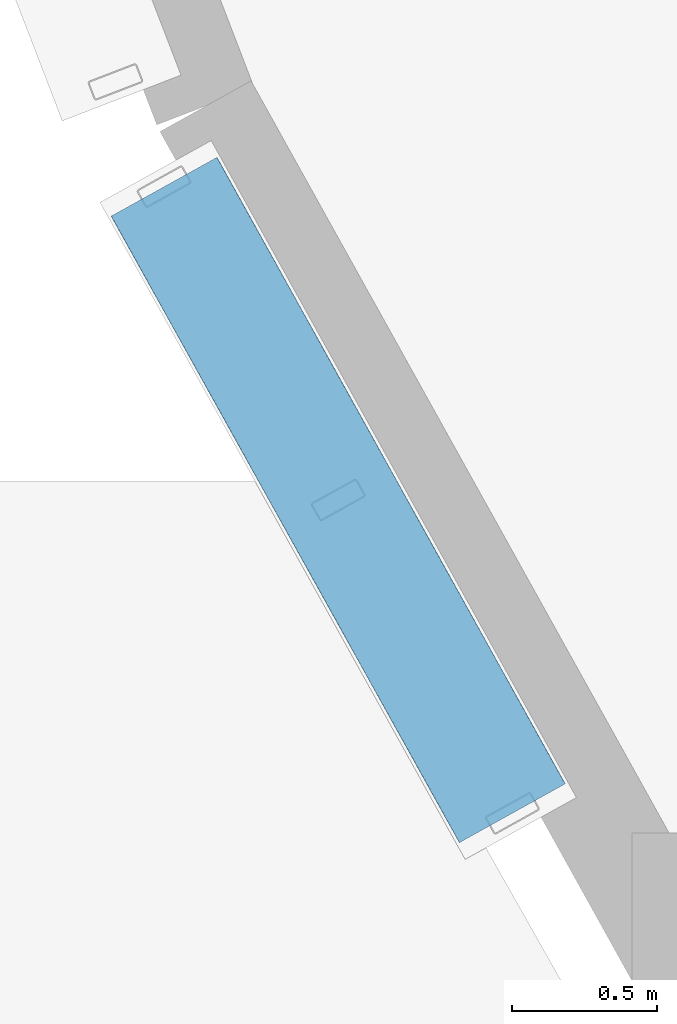
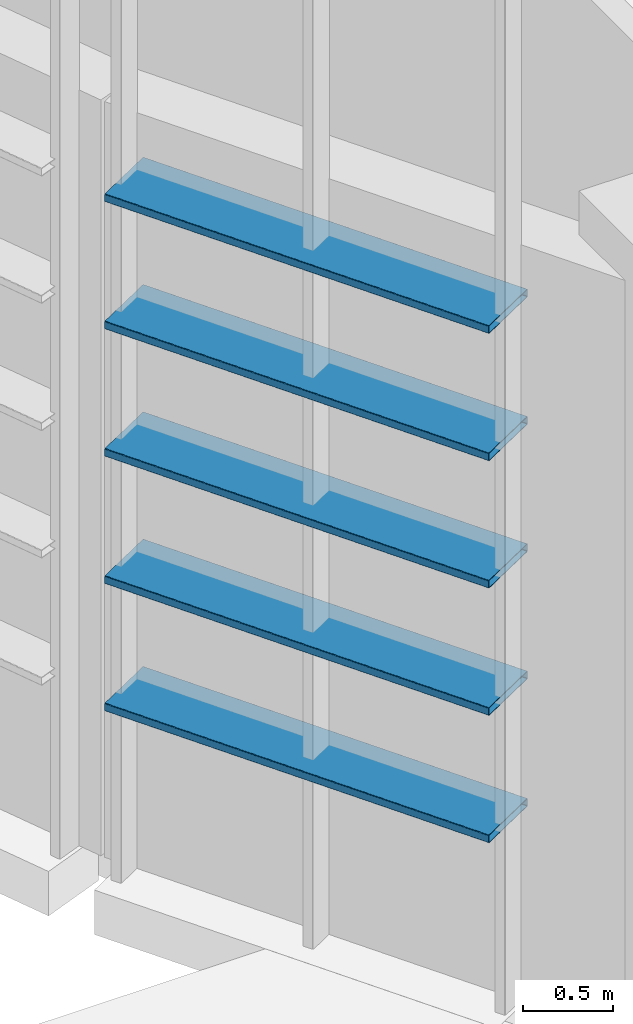
# One storey, part 162 of 372: 5 members.
"""IFC4 building model written with IfcOpenShell, lengths in metres."""

import ifcopenshell
import ifcopenshell.guid

model = None  # the IFC model being written
_history = None  # IfcOwnerHistory: only IFC2X3 demands one
_inside = {}  # id of a spatial element -> (the spatial element, [elements in it])
_under = {}  # id of a project, library or spatial element -> (it, [spatial elements below it])
_declared = {}  # id of a project -> (the project, [libraries it declares])
_typed = {}  # id of a type object -> (the type object, [elements of that type])
_made_of = {}  # id of a material, layer set ... -> (it, [elements and type objects made of it])


def new_model(schema):
    """Start an empty IFC model of exactly this schema.

    Asked for "IFC4X3", IfcOpenShell would pick the latest addendum, in which some entities
    have other attributes; the version numbers below select the first issue.
    IFC2X3 requires an IfcOwnerHistory on every rooted entity: one is made here for all.
    """
    global model, _history
    if schema == "IFC4X3":
        model = ifcopenshell.file(schema_version=(4, 3, 0, 0))
    else:
        model = ifcopenshell.file(schema=schema)
    _inside.clear()
    _under.clear()
    _declared.clear()
    _typed.clear()
    _made_of.clear()
    _history = None
    if model.schema == "IFC2X3":
        org = make("IfcOrganization", Name="unknown")
        user = make(
            "IfcPersonAndOrganization",
            ThePerson=make("IfcPerson", FamilyName="unknown"),
            TheOrganization=org,
        )
        app = make(
            "IfcApplication",
            ApplicationDeveloper=org,
            Version="unknown",
            ApplicationFullName="unknown",
            ApplicationIdentifier="unknown",
        )
        _history = make(
            "IfcOwnerHistory",
            OwningUser=user,
            OwningApplication=app,
            ChangeAction="ADDED",
            CreationDate=0,
        )
    return model


def make(cls, **values):
    """One entity of the class cls with the attributes given. An attribute that is None is left unset."""
    return model.create_entity(
        cls, **{name: value for name, value in values.items() if value is not None}
    )


def rooted(cls, **values):
    """An entity with a GlobalId (a new one), such as an element, a storey or a relation."""
    return make(cls, GlobalId=ifcopenshell.guid.new(), OwnerHistory=_history, **values)


def si_unit(unit_type, name, prefix=None):
    """IfcSIUnit, for example si_unit("LENGTHUNIT", "METRE", prefix="MILLI")."""
    return make("IfcSIUnit", UnitType=unit_type, Prefix=prefix, Name=name)


def assignment(units):
    """IfcUnitAssignment: the units of a project."""
    return None if units is None else make("IfcUnitAssignment", Units=units)


def point(xyz):
    """IfcCartesianPoint."""
    return None if xyz is None else make("IfcCartesianPoint", Coordinates=xyz)


def direction(xyz):
    """IfcDirection."""
    return None if xyz is None else make("IfcDirection", DirectionRatios=xyz)


def frame(location, z_axis=None, x_axis=None):
    """IfcAxis2Placement3D, a coordinate frame: its origin and axes. An axis left out is left unset."""
    return make(
        "IfcAxis2Placement3D",
        Location=point(location),
        Axis=direction(z_axis),
        RefDirection=direction(x_axis),
    )


def frame_2d(location, x_axis=None):
    """IfcAxis2Placement2D, a coordinate frame in the plane: its origin and x axis."""
    return make(
        "IfcAxis2Placement2D", Location=point(location), RefDirection=direction(x_axis)
    )


def origin():
    """The frame at (0, 0, 0) with its axes left unset."""
    return frame((0.0, 0.0, 0.0))


def origin_2d():
    """The frame at (0, 0) in the plane with its x axis left unset."""
    return frame_2d((0.0, 0.0))


def place(relative_to, where):
    """IfcLocalPlacement: puts the frame where relative to a parent placement (None: the world)."""
    return make(
        "IfcLocalPlacement", PlacementRelTo=relative_to, RelativePlacement=where
    )


def context(
    kind, dimensions, precision=None, world=None, true_north=None, identifier=None
):
    """IfcGeometricRepresentationContext, for example the 3D "Model" context."""
    return make(
        "IfcGeometricRepresentationContext",
        ContextIdentifier=identifier,
        ContextType=kind,
        CoordinateSpaceDimension=dimensions,
        Precision=precision,
        WorldCoordinateSystem=world,
        TrueNorth=true_north,
    )


def subcontext(parent, identifier, kind, view, scale=None):
    """IfcGeometricRepresentationSubContext, for example "Body" below "Model"."""
    return make(
        "IfcGeometricRepresentationSubContext",
        ContextIdentifier=identifier,
        ContextType=kind,
        ParentContext=parent,
        TargetScale=scale,
        TargetView=view,
    )


def project(units=None, contexts=None):
    """IfcProject with its units and contexts."""
    return rooted(
        "IfcProject",
        Name="project",
        RepresentationContexts=contexts,
        UnitsInContext=assignment(units),
    )


def spatial(cls, under=None, at=None, **own):
    """A site, building, storey or space (cls), placed at a placement, below another one or the project."""
    s = rooted(cls, ObjectPlacement=at, **own)
    if under is not None:
        _under.setdefault(under.id(), (under, []))[1].append(s)
    return s


def profile(cls, at=None, kind="AREA", **sizes):
    """A parametric profile (cls). Its sizes go by their IFC names, for example OverallWidth=200.0."""
    return make(cls, ProfileType=kind, Position=at, **sizes)


def hollow_rectangle(**sizes):
    """IfcRectangleHollowProfileDef."""
    return profile("IfcRectangleHollowProfileDef", **sizes)


def extrude(swept, where, along, depth):
    """IfcExtrudedAreaSolid: the profile swept, set in the frame where, extruded along a direction by depth."""
    return make(
        "IfcExtrudedAreaSolid",
        SweptArea=swept,
        Position=where,
        ExtrudedDirection=direction(along),
        Depth=depth,
    )


def shape(context_of_items, identifier, shape_type, items):
    """IfcShapeRepresentation: the items that make up one representation, for example the "Body"."""
    return make(
        "IfcShapeRepresentation",
        ContextOfItems=context_of_items,
        RepresentationIdentifier=identifier,
        RepresentationType=shape_type,
        Items=items,
    )


def material(Name=None, Category=None):
    """IfcMaterial."""
    return make("IfcMaterial", Name=Name, Category=Category)


def material_profile(
    of_material, cross_section, Name=None, Category=None, Priority=None
):
    """IfcMaterialProfile: a cross section and its material."""
    return make(
        "IfcMaterialProfile",
        Name=Name,
        Material=of_material,
        Profile=cross_section,
        Priority=Priority,
        Category=Category,
    )


def profile_set(profiles, Name=None, composite=None):
    """IfcMaterialProfileSet."""
    return make(
        "IfcMaterialProfileSet",
        Name=Name,
        MaterialProfiles=profiles,
        CompositeProfile=composite,
    )


def made_of(thing, what):
    """Note that an element or type object is made of a material, layer set ...; save() writes the relation."""
    if what is not None:
        _made_of.setdefault(what.id(), (what, []))[1].append(thing)
    return thing


def type_object(cls, material=None, **own):
    """A type object (cls), such as IfcWallType, which elements share."""
    return made_of(rooted(cls, **own), material)


def element(
    cls,
    number,
    at=None,
    inside=None,
    cuts=None,
    type_object=None,
    material=None,
    context=None,
    identifier="Body",
    shape_type=None,
    held_by="IfcProductDefinitionShape",
    body=None,
    shapes=None,
    **own,
):
    """One element of the class cls, such as IfcWall. Its Tag is "e" and its number.

    at: its placement. inside: the storey or other place that contains it. cuts: it is an
    opening in that element (IfcRelVoidsElement). A single representation is given by context,
    identifier, shape_type and body (its items); several are given by shapes. held_by: the class
    of the entity that holds the representations. save() writes the other relations.
    """
    e = rooted(cls, Tag="e%d" % number, ObjectPlacement=at, **own)
    if body is not None:
        shapes = [shape(context, identifier, shape_type, body)]
    if shapes is not None:
        e.Representation = make(held_by, Representations=shapes)
    if inside is not None:
        _inside.setdefault(inside.id(), (inside, []))[1].append(e)
    if cuts is not None:
        rooted(
            "IfcRelVoidsElement", RelatingBuildingElement=cuts, RelatedOpeningElement=e
        )
    if type_object is not None:
        _typed.setdefault(type_object.id(), (type_object, []))[1].append(e)
    return made_of(e, material)


def aggregate(whole, parts):
    """IfcRelAggregates: a whole, such as a stair, and the parts it consists of."""
    return rooted("IfcRelAggregates", RelatingObject=whole, RelatedObjects=parts)


def save(model, path):
    """Write the relations noted so far, then the file.

    IfcRelAggregates (storeys below a building ...), IfcRelContainedInSpatialStructure (elements
    in a storey), IfcRelDefinesByType, IfcRelAssociatesMaterial and IfcRelDeclares: one each for
    every whole, place, type object, material and project.
    """
    for whole, parts in _under.values():
        aggregate(whole, parts)
    for where, things in _inside.values():
        rooted(
            "IfcRelContainedInSpatialStructure",
            RelatedElements=things,
            RelatingStructure=where,
        )
    for kind, things in _typed.values():
        rooted("IfcRelDefinesByType", RelatedObjects=things, RelatingType=kind)
    for what, things in _made_of.values():
        rooted("IfcRelAssociatesMaterial", RelatedObjects=things, RelatingMaterial=what)
    for by, libraries in _declared.values():
        rooted("IfcRelDeclares", RelatingContext=by, RelatedDefinitions=libraries)
    model.write(path)


model = new_model("IFC4")

# Units and contexts
model_context = context("Model", 3, precision=1e-05, world=origin(), true_north=direction((0.0, 1.0)))
body_context = subcontext(model_context, "Body", "Model", "MODEL_VIEW")
ifc_project = project(units=[si_unit("LENGTHUNIT", "METRE"), si_unit("AREAUNIT", "SQUARE_METRE"), si_unit("VOLUMEUNIT", "CUBIC_METRE"), si_unit("PLANEANGLEUNIT", "RADIAN"), si_unit("MASSUNIT", "GRAM", prefix="KILO")], contexts=[model_context])

# Site, building, storey
site_placement = place(None, origin())
site = spatial("IfcSite", under=ifc_project, at=site_placement, CompositionType="ELEMENT")
building_placement = place(site_placement, origin())
building = spatial("IfcBuilding", under=site, at=building_placement, Name="Kaelora Sail Theatre", CompositionType="ELEMENT")
storey_placement = place(building_placement, origin())
storey = spatial("IfcBuildingStorey", under=building, at=storey_placement, Name="L00", CompositionType="ELEMENT", Elevation=0.0)

# Members
ifc_material = material(Name="Anodised aluminium 6063-T6", Category="aluminium")
ifc_material_profile = material_profile(ifc_material, hollow_rectangle(XDim=0.419921875, YDim=0.054931640625, WallThickness=0.00390625, InnerFilletRadius=0.00390625, OuterFilletRadius=0.008056640625, at=origin_2d()), Name="LOUVRE 420x55x4")
ifc_profile_set = profile_set([ifc_material_profile], Name="Anodised aluminium 6063-T6")
member_type = type_object("IfcMemberType", Name="ARC-MEM-LVR-420", PredefinedType="USERDEFINED", material=ifc_profile_set)
for number, where, z_axis, x_axis, name in (
    (1, (81.1025390625, 37.533203125, 1.25), (-0.485852103854, 0.874041036325, 0.0), (-0.874041036325, -0.485852103854, 0.0), "Studio Theatre Sail Drum horizontal solar louvre C15-01"),
    (2, (81.1025390625, 37.533203125, 2.110107421875), (-0.485852103854, 0.874041036325, 0.0), (-0.874041036325, -0.485852103854, 0.0), "Studio Theatre Sail Drum horizontal solar louvre C15-02"),
    (3, (81.1025390625, 37.533203125, 2.969970703125), (-0.485852103854, 0.874041036325, 0.0), (-0.874041036325, -0.485852103854, 0.0), "Studio Theatre Sail Drum horizontal solar louvre C15-03"),
    (4, (81.1025390625, 37.533203125, 3.830078125), (-0.485852103854, 0.874041036325, 0.0), (-0.874041036325, -0.485852103854, 0.0), "Studio Theatre Sail Drum horizontal solar louvre C15-04"),
    (5, (81.1025390625, 37.533203125, 4.68994140625), (-0.485852103854, 0.874041036325, 0.0), (-0.874041036325, -0.485852103854, 0.0), "Studio Theatre Sail Drum horizontal solar louvre C15-05"),
):
    element("IfcMember", number, at=place(storey_placement, frame(where, z_axis=z_axis, x_axis=x_axis)), inside=storey, type_object=member_type, Name=name, ObjectType="LOUVRE", PredefinedType="USERDEFINED", context=body_context, shape_type="SweptSolid", body=[
        extrude(hollow_rectangle(XDim=0.419921875, YDim=0.054931640625, WallThickness=0.00390625, InnerFilletRadius=0.00390625, OuterFilletRadius=0.008056640625, at=origin_2d()), origin(), (0.0, 0.0, 1.0), 2.477294921875),
    ])

save(model, "model.ifc")
